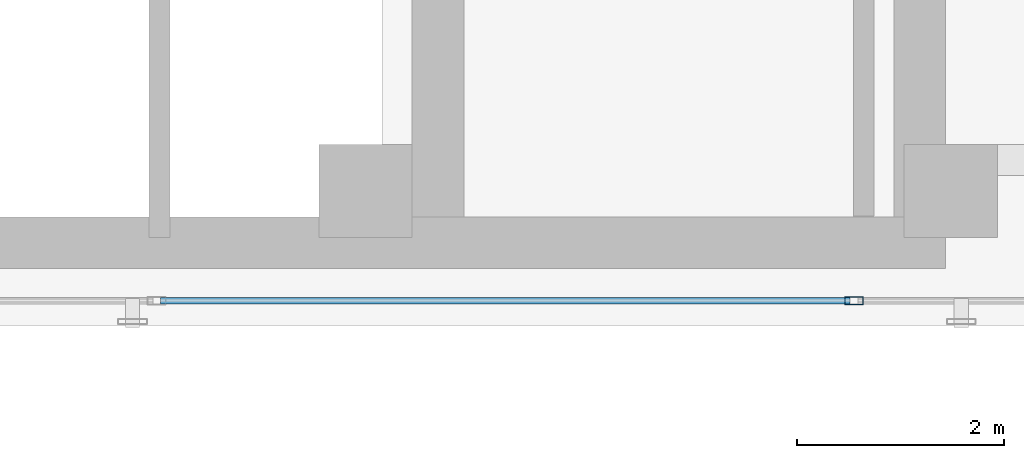
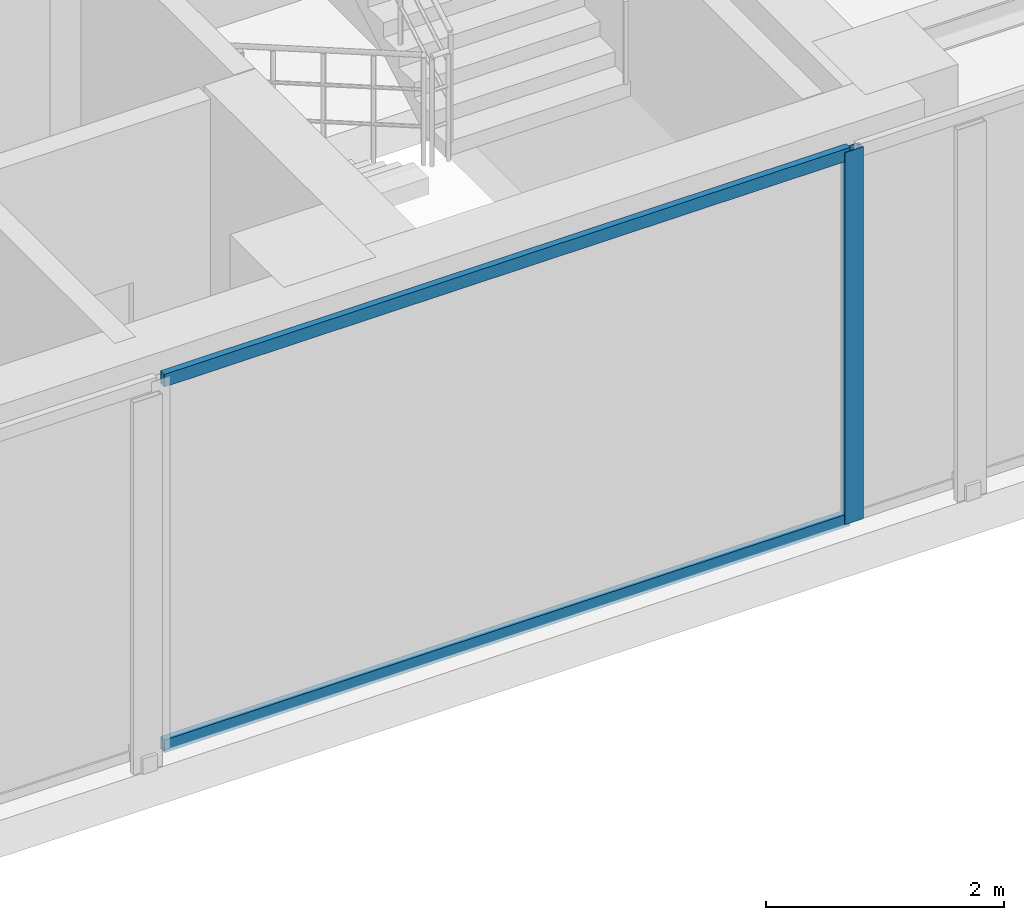
# One storey, part 3 of 32: 3 members, 1 element without a shape of its own.
"""IFC4 building model written with IfcOpenShell, lengths in metres."""

import ifcopenshell
import ifcopenshell.guid

model = None  # the IFC model being written
_history = None  # IfcOwnerHistory: only IFC2X3 demands one
_inside = {}  # id of a spatial element -> (the spatial element, [elements in it])
_under = {}  # id of a project, library or spatial element -> (it, [spatial elements below it])
_declared = {}  # id of a project -> (the project, [libraries it declares])
_typed = {}  # id of a type object -> (the type object, [elements of that type])
_made_of = {}  # id of a material, layer set ... -> (it, [elements and type objects made of it])


def new_model(schema):
    """Start an empty IFC model of exactly this schema.

    Asked for "IFC4X3", IfcOpenShell would pick the latest addendum, in which some entities
    have other attributes; the version numbers below select the first issue.
    IFC2X3 requires an IfcOwnerHistory on every rooted entity: one is made here for all.
    """
    global model, _history
    if schema == "IFC4X3":
        model = ifcopenshell.file(schema_version=(4, 3, 0, 0))
    else:
        model = ifcopenshell.file(schema=schema)
    _inside.clear()
    _under.clear()
    _declared.clear()
    _typed.clear()
    _made_of.clear()
    _history = None
    if model.schema == "IFC2X3":
        org = make("IfcOrganization", Name="unknown")
        user = make(
            "IfcPersonAndOrganization",
            ThePerson=make("IfcPerson", FamilyName="unknown"),
            TheOrganization=org,
        )
        app = make(
            "IfcApplication",
            ApplicationDeveloper=org,
            Version="unknown",
            ApplicationFullName="unknown",
            ApplicationIdentifier="unknown",
        )
        _history = make(
            "IfcOwnerHistory",
            OwningUser=user,
            OwningApplication=app,
            ChangeAction="ADDED",
            CreationDate=0,
        )
    return model


def make(cls, **values):
    """One entity of the class cls with the attributes given. An attribute that is None is left unset."""
    return model.create_entity(
        cls, **{name: value for name, value in values.items() if value is not None}
    )


def rooted(cls, **values):
    """An entity with a GlobalId (a new one), such as an element, a storey or a relation."""
    return make(cls, GlobalId=ifcopenshell.guid.new(), OwnerHistory=_history, **values)


def si_unit(unit_type, name, prefix=None):
    """IfcSIUnit, for example si_unit("LENGTHUNIT", "METRE", prefix="MILLI")."""
    return make("IfcSIUnit", UnitType=unit_type, Prefix=prefix, Name=name)


def assignment(units):
    """IfcUnitAssignment: the units of a project."""
    return None if units is None else make("IfcUnitAssignment", Units=units)


def point(xyz):
    """IfcCartesianPoint."""
    return None if xyz is None else make("IfcCartesianPoint", Coordinates=xyz)


def direction(xyz):
    """IfcDirection."""
    return None if xyz is None else make("IfcDirection", DirectionRatios=xyz)


def frame(location, z_axis=None, x_axis=None):
    """IfcAxis2Placement3D, a coordinate frame: its origin and axes. An axis left out is left unset."""
    return make(
        "IfcAxis2Placement3D",
        Location=point(location),
        Axis=direction(z_axis),
        RefDirection=direction(x_axis),
    )


def frame_2d(location, x_axis=None):
    """IfcAxis2Placement2D, a coordinate frame in the plane: its origin and x axis."""
    return make(
        "IfcAxis2Placement2D", Location=point(location), RefDirection=direction(x_axis)
    )


def origin():
    """The frame at (0, 0, 0) with its axes left unset."""
    return frame((0.0, 0.0, 0.0))


def origin_with_axes():
    """The frame at (0, 0, 0) with the z axis (0, 0, 1) and the x axis (1, 0, 0) written out."""
    return frame((0.0, 0.0, 0.0), z_axis=(0.0, 0.0, 1.0), x_axis=(1.0, 0.0, 0.0))


def origin_2d():
    """The frame at (0, 0) in the plane with its x axis left unset."""
    return frame_2d((0.0, 0.0))


def place(relative_to, where):
    """IfcLocalPlacement: puts the frame where relative to a parent placement (None: the world)."""
    return make(
        "IfcLocalPlacement", PlacementRelTo=relative_to, RelativePlacement=where
    )


def context(
    kind, dimensions, precision=None, world=None, true_north=None, identifier=None
):
    """IfcGeometricRepresentationContext, for example the 3D "Model" context."""
    return make(
        "IfcGeometricRepresentationContext",
        ContextIdentifier=identifier,
        ContextType=kind,
        CoordinateSpaceDimension=dimensions,
        Precision=precision,
        WorldCoordinateSystem=world,
        TrueNorth=true_north,
    )


def subcontext(parent, identifier, kind, view, scale=None):
    """IfcGeometricRepresentationSubContext, for example "Body" below "Model"."""
    return make(
        "IfcGeometricRepresentationSubContext",
        ContextIdentifier=identifier,
        ContextType=kind,
        ParentContext=parent,
        TargetScale=scale,
        TargetView=view,
    )


def project(units=None, contexts=None):
    """IfcProject with its units and contexts."""
    return rooted(
        "IfcProject",
        Name="project",
        RepresentationContexts=contexts,
        UnitsInContext=assignment(units),
    )


def spatial(cls, under=None, at=None, **own):
    """A site, building, storey or space (cls), placed at a placement, below another one or the project."""
    s = rooted(cls, ObjectPlacement=at, **own)
    if under is not None:
        _under.setdefault(under.id(), (under, []))[1].append(s)
    return s


def profile(cls, at=None, kind="AREA", **sizes):
    """A parametric profile (cls). Its sizes go by their IFC names, for example OverallWidth=200.0."""
    return make(cls, ProfileType=kind, Position=at, **sizes)


def hollow_rectangle(**sizes):
    """IfcRectangleHollowProfileDef."""
    return profile("IfcRectangleHollowProfileDef", **sizes)


def extrude(swept, where, along, depth):
    """IfcExtrudedAreaSolid: the profile swept, set in the frame where, extruded along a direction by depth."""
    return make(
        "IfcExtrudedAreaSolid",
        SweptArea=swept,
        Position=where,
        ExtrudedDirection=direction(along),
        Depth=depth,
    )


def shape(context_of_items, identifier, shape_type, items):
    """IfcShapeRepresentation: the items that make up one representation, for example the "Body"."""
    return make(
        "IfcShapeRepresentation",
        ContextOfItems=context_of_items,
        RepresentationIdentifier=identifier,
        RepresentationType=shape_type,
        Items=items,
    )


def source(mapping_origin, context_of_items, identifier, shape_type, items):
    """IfcRepresentationMap: a shape defined once, which mapped items show again and again."""
    return make(
        "IfcRepresentationMap",
        MappingOrigin=mapping_origin,
        MappedRepresentation=shape(context_of_items, identifier, shape_type, items),
    )


def transform(
    local_origin,
    x_axis=None,
    y_axis=None,
    z_axis=None,
    scale=None,
    scale2=None,
    scale3=None,
    uniform=True,
):
    """IfcCartesianTransformationOperator3D, or its non-uniform kind. x_axis, y_axis, z_axis: its Axis1, 2, 3."""
    if uniform:
        return make(
            "IfcCartesianTransformationOperator3D",
            Axis1=direction(x_axis),
            Axis2=direction(y_axis),
            LocalOrigin=point(local_origin),
            Scale=scale,
            Axis3=direction(z_axis),
        )
    return make(
        "IfcCartesianTransformationOperator3DnonUniform",
        Axis1=direction(x_axis),
        Axis2=direction(y_axis),
        LocalOrigin=point(local_origin),
        Scale=scale,
        Axis3=direction(z_axis),
        Scale2=scale2,
        Scale3=scale3,
    )


def mapped(mapping_source, mapping_target):
    """IfcMappedItem: shows the shape of a source again, moved by a transform."""
    return make(
        "IfcMappedItem", MappingSource=mapping_source, MappingTarget=mapping_target
    )


def material(Name=None, Category=None):
    """IfcMaterial."""
    return make("IfcMaterial", Name=Name, Category=Category)


def layer(
    of_material, thickness, ventilated=None, Name=None, Category=None, Priority=None
):
    """IfcMaterialLayer: one layer of a wall or slab, of a material (None: an air gap)."""
    return make(
        "IfcMaterialLayer",
        Material=of_material,
        LayerThickness=thickness,
        IsVentilated=ventilated,
        Name=Name,
        Category=Category,
        Priority=Priority,
    )


def layer_set(layers, Name=None):
    """IfcMaterialLayerSet."""
    return make("IfcMaterialLayerSet", MaterialLayers=layers, LayerSetName=Name)


def material_profile(
    of_material, cross_section, Name=None, Category=None, Priority=None
):
    """IfcMaterialProfile: a cross section and its material."""
    return make(
        "IfcMaterialProfile",
        Name=Name,
        Material=of_material,
        Profile=cross_section,
        Priority=Priority,
        Category=Category,
    )


def profile_set(profiles, Name=None, composite=None):
    """IfcMaterialProfileSet."""
    return make(
        "IfcMaterialProfileSet",
        Name=Name,
        MaterialProfiles=profiles,
        CompositeProfile=composite,
    )


def made_of(thing, what):
    """Note that an element or type object is made of a material, layer set ...; save() writes the relation."""
    if what is not None:
        _made_of.setdefault(what.id(), (what, []))[1].append(thing)
    return thing


def type_object(cls, material=None, **own):
    """A type object (cls), such as IfcWallType, which elements share."""
    return made_of(rooted(cls, **own), material)


def element(
    cls,
    number,
    at=None,
    inside=None,
    cuts=None,
    type_object=None,
    material=None,
    context=None,
    identifier="Body",
    shape_type=None,
    held_by="IfcProductDefinitionShape",
    body=None,
    shapes=None,
    **own,
):
    """One element of the class cls, such as IfcWall. Its Tag is "e" and its number.

    at: its placement. inside: the storey or other place that contains it. cuts: it is an
    opening in that element (IfcRelVoidsElement). A single representation is given by context,
    identifier, shape_type and body (its items); several are given by shapes. held_by: the class
    of the entity that holds the representations. save() writes the other relations.
    """
    e = rooted(cls, Tag="e%d" % number, ObjectPlacement=at, **own)
    if body is not None:
        shapes = [shape(context, identifier, shape_type, body)]
    if shapes is not None:
        e.Representation = make(held_by, Representations=shapes)
    if inside is not None:
        _inside.setdefault(inside.id(), (inside, []))[1].append(e)
    if cuts is not None:
        rooted(
            "IfcRelVoidsElement", RelatingBuildingElement=cuts, RelatedOpeningElement=e
        )
    if type_object is not None:
        _typed.setdefault(type_object.id(), (type_object, []))[1].append(e)
    return made_of(e, material)


def aggregate(whole, parts):
    """IfcRelAggregates: a whole, such as a stair, and the parts it consists of."""
    return rooted("IfcRelAggregates", RelatingObject=whole, RelatedObjects=parts)


def save(model, path):
    """Write the relations noted so far, then the file.

    IfcRelAggregates (storeys below a building ...), IfcRelContainedInSpatialStructure (elements
    in a storey), IfcRelDefinesByType, IfcRelAssociatesMaterial and IfcRelDeclares: one each for
    every whole, place, type object, material and project.
    """
    for whole, parts in _under.values():
        aggregate(whole, parts)
    for where, things in _inside.values():
        rooted(
            "IfcRelContainedInSpatialStructure",
            RelatedElements=things,
            RelatingStructure=where,
        )
    for kind, things in _typed.values():
        rooted("IfcRelDefinesByType", RelatedObjects=things, RelatingType=kind)
    for what, things in _made_of.values():
        rooted("IfcRelAssociatesMaterial", RelatedObjects=things, RelatingMaterial=what)
    for by, libraries in _declared.values():
        rooted("IfcRelDeclares", RelatingContext=by, RelatedDefinitions=libraries)
    model.write(path)


model = new_model("IFC4")

# Units and contexts
model_context = context("Model", 3, precision=1e-05, world=origin(), true_north=direction((0.0, 1.0)))
body_context = subcontext(model_context, "Body", "Model", "MODEL_VIEW")
ifc_project = project(units=[si_unit("LENGTHUNIT", "METRE"), si_unit("AREAUNIT", "SQUARE_METRE"), si_unit("VOLUMEUNIT", "CUBIC_METRE"), si_unit("PLANEANGLEUNIT", "RADIAN"), si_unit("MASSUNIT", "GRAM", prefix="KILO")], contexts=[model_context])

# Site, building, storey
site_placement = place(None, origin())
site = spatial("IfcSite", under=ifc_project, at=site_placement, CompositionType="ELEMENT")
building_placement = place(site_placement, origin())
building = spatial("IfcBuilding", under=site, at=building_placement, Name="Kolvaren Waterfront Exchange", CompositionType="ELEMENT")
storey_placement = place(building_placement, frame((0.0, 0.0, 352.0)))
storey = spatial("IfcBuildingStorey", under=building, at=storey_placement, Name="L90", CompositionType="ELEMENT", Elevation=352.0)

# Curtain wall, members
ifc_material = material(Name="Anodised bronze aluminium 6063-T6", Category="aluminium")
ifc_layer = layer(ifc_material, 0.219970703125, Name="Anodised bronze aluminium 6063-T6")
ifc_layer_set = layer_set([ifc_layer], Name="Anodised bronze aluminium 6063-T6")
curtain_wall_type = type_object("IfcCurtainWallType", Name="ARC-CW-SYS5", PredefinedType="USERDEFINED", material=ifc_layer_set)
curtain_wall_placement = place(storey_placement, origin())
curtain_wall = element("IfcCurtainWall", 1, at=curtain_wall_placement, inside=storey, type_object=curtain_wall_type, Name="L90 stick curtain wall CW5 (CW-L90-S)", ObjectType="STICK CURTAIN WALL", PredefinedType="USERDEFINED")
ifc_material_profile_1 = material_profile(ifc_material, hollow_rectangle(XDim=0.06494140625, YDim=0.1298828125, WallThickness=0.00390625, at=origin_2d()), Name="ALU-TRN-130x65x4")
ifc_profile_set_1 = profile_set([ifc_material_profile_1], Name="Anodised bronze aluminium 6063-T6")
member_type_1 = type_object("IfcMemberType", Name="ARC-CWT-130", PredefinedType="USERDEFINED", material=ifc_profile_set_1)
shared_shape_1 = source(origin_with_axes(), body_context, "Body", "SweptSolid", [
    extrude(hollow_rectangle(XDim=0.06494140625, YDim=0.1298828125, WallThickness=0.00390625, at=origin_2d()), origin(), (0.0, 0.0, 1.0), 6.658203125),
])
member_1_placement = place(storey_placement, frame((13.470947265625, 3.840087890625, 0.032470703125), z_axis=(1.0, 0.0, 0.0), x_axis=(0.0, 1.0, 0.0)))
member_1 = element("IfcMember", 2, at=member_1_placement, type_object=member_type_1, Name="CW5 transom 2.1", ObjectType="TRANSOM", PredefinedType="USERDEFINED", context=body_context, shape_type="MappedRepresentation", body=[
    mapped(shared_shape_1, transform((0.0, 0.0, 0.0), x_axis=(1.0, 0.0, 0.0), y_axis=(0.0, 1.0, 0.0), z_axis=(0.0, 0.0, 1.0), scale=1.0)),
])
member_2_placement = place(storey_placement, frame((13.470947265625, 3.840087890625, 3.78759765625), z_axis=(1.0, 0.0, 0.0), x_axis=(0.0, 1.0, 0.0)))
member_2 = element("IfcMember", 3, at=member_2_placement, type_object=member_type_1, Name="CW5 transom 2.2", ObjectType="TRANSOM", PredefinedType="USERDEFINED", context=body_context, shape_type="MappedRepresentation", body=[
    mapped(shared_shape_1, transform((0.0, 0.0, 0.0), x_axis=(1.0, 0.0, 0.0), y_axis=(0.0, 1.0, 0.0), z_axis=(0.0, 0.0, 1.0), scale=1.0)),
])
ifc_material_profile_2 = material_profile(ifc_material, hollow_rectangle(XDim=0.074951171875, YDim=0.179931640625, WallThickness=0.00439453125, at=origin_2d()), Name="ALU-MUL-180x75x4.5")
ifc_profile_set_2 = profile_set([ifc_material_profile_2], Name="Anodised bronze aluminium 6063-T6")
member_type_2 = type_object("IfcMemberType", Name="ARC-CWM-180", PredefinedType="MULLION", material=ifc_profile_set_2)
shared_shape_2 = source(origin_with_axes(), body_context, "Body", "SweptSolid", [
    extrude(hollow_rectangle(XDim=0.074951171875, YDim=0.179931640625, WallThickness=0.00439453125, at=origin_2d()), origin(), (0.0, 0.0, 1.0), 3.820068359375),
])
member_3_placement = place(storey_placement, frame((20.166748046875, 3.840087890625, 0.0), z_axis=(0.0, 0.0, 1.0), x_axis=(0.0, 1.0, 0.0)))
member_3 = element("IfcMember", 4, at=member_3_placement, type_object=member_type_2, Name="CW5 mullion 3", PredefinedType="MULLION", context=body_context, shape_type="MappedRepresentation", body=[
    mapped(shared_shape_2, transform((0.0, 0.0, 0.0), x_axis=(1.0, 0.0, 0.0), y_axis=(0.0, 1.0, 0.0), z_axis=(0.0, 0.0, 1.0), scale=1.0)),
])
aggregate(curtain_wall, [member_3, member_1, member_2])

save(model, "model.ifc")
